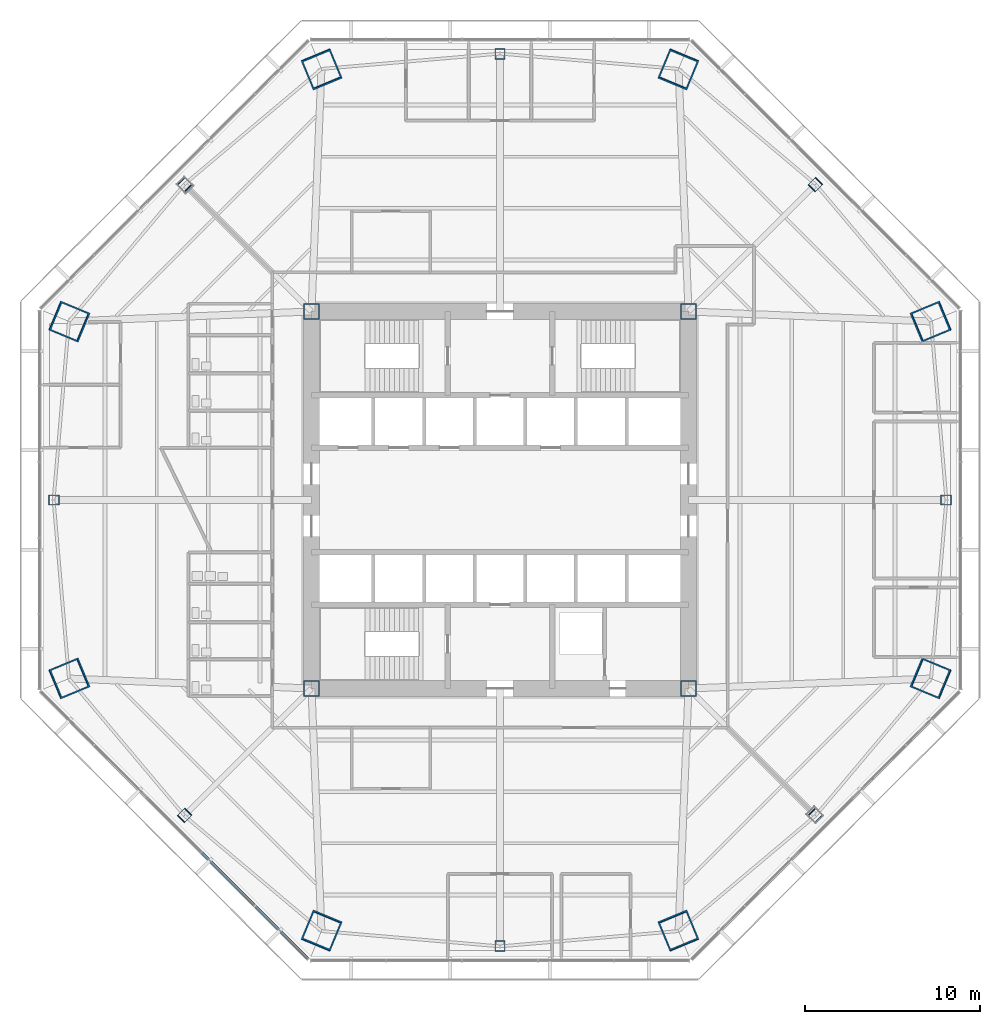
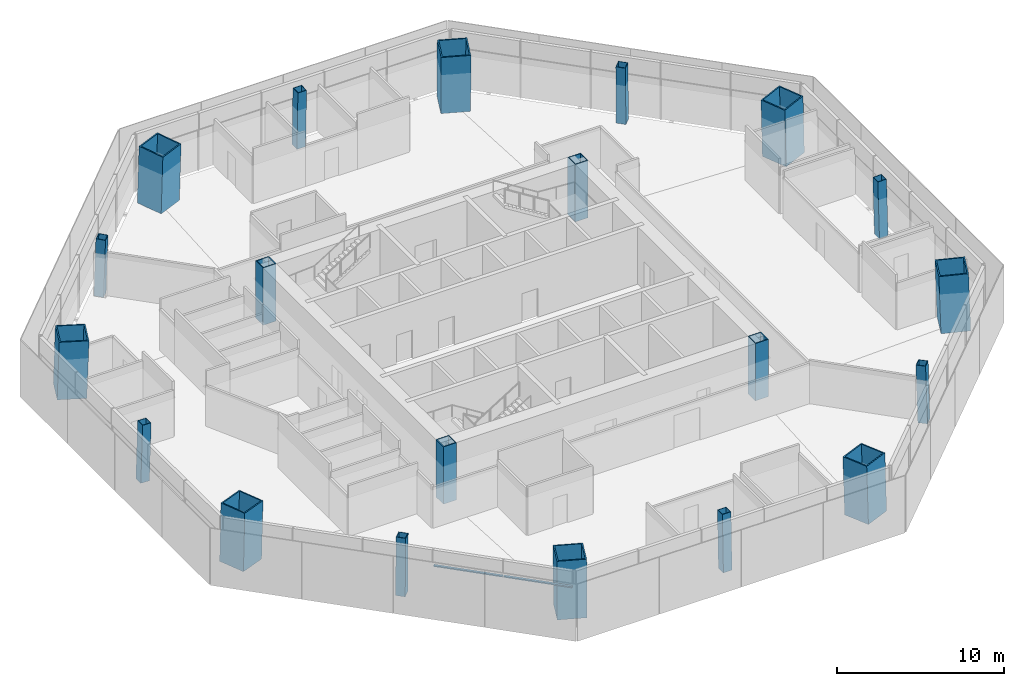
# One storey, part 1 of 15: 20 columns, 2 members, 1 element without a shape of its own.
"""IFC4 building model written with IfcOpenShell, lengths in metres."""

import ifcopenshell
import ifcopenshell.guid

model = None  # the IFC model being written
_history = None  # IfcOwnerHistory: only IFC2X3 demands one
_inside = {}  # id of a spatial element -> (the spatial element, [elements in it])
_under = {}  # id of a project, library or spatial element -> (it, [spatial elements below it])
_declared = {}  # id of a project -> (the project, [libraries it declares])
_typed = {}  # id of a type object -> (the type object, [elements of that type])
_made_of = {}  # id of a material, layer set ... -> (it, [elements and type objects made of it])


def new_model(schema):
    """Start an empty IFC model of exactly this schema.

    Asked for "IFC4X3", IfcOpenShell would pick the latest addendum, in which some entities
    have other attributes; the version numbers below select the first issue.
    IFC2X3 requires an IfcOwnerHistory on every rooted entity: one is made here for all.
    """
    global model, _history
    if schema == "IFC4X3":
        model = ifcopenshell.file(schema_version=(4, 3, 0, 0))
    else:
        model = ifcopenshell.file(schema=schema)
    _inside.clear()
    _under.clear()
    _declared.clear()
    _typed.clear()
    _made_of.clear()
    _history = None
    if model.schema == "IFC2X3":
        org = make("IfcOrganization", Name="unknown")
        user = make(
            "IfcPersonAndOrganization",
            ThePerson=make("IfcPerson", FamilyName="unknown"),
            TheOrganization=org,
        )
        app = make(
            "IfcApplication",
            ApplicationDeveloper=org,
            Version="unknown",
            ApplicationFullName="unknown",
            ApplicationIdentifier="unknown",
        )
        _history = make(
            "IfcOwnerHistory",
            OwningUser=user,
            OwningApplication=app,
            ChangeAction="ADDED",
            CreationDate=0,
        )
    return model


def make(cls, **values):
    """One entity of the class cls with the attributes given. An attribute that is None is left unset."""
    return model.create_entity(
        cls, **{name: value for name, value in values.items() if value is not None}
    )


def rooted(cls, **values):
    """An entity with a GlobalId (a new one), such as an element, a storey or a relation."""
    return make(cls, GlobalId=ifcopenshell.guid.new(), OwnerHistory=_history, **values)


def si_unit(unit_type, name, prefix=None):
    """IfcSIUnit, for example si_unit("LENGTHUNIT", "METRE", prefix="MILLI")."""
    return make("IfcSIUnit", UnitType=unit_type, Prefix=prefix, Name=name)


def assignment(units):
    """IfcUnitAssignment: the units of a project."""
    return None if units is None else make("IfcUnitAssignment", Units=units)


def point(xyz):
    """IfcCartesianPoint."""
    return None if xyz is None else make("IfcCartesianPoint", Coordinates=xyz)


def direction(xyz):
    """IfcDirection."""
    return None if xyz is None else make("IfcDirection", DirectionRatios=xyz)


def frame(location, z_axis=None, x_axis=None):
    """IfcAxis2Placement3D, a coordinate frame: its origin and axes. An axis left out is left unset."""
    return make(
        "IfcAxis2Placement3D",
        Location=point(location),
        Axis=direction(z_axis),
        RefDirection=direction(x_axis),
    )


def frame_2d(location, x_axis=None):
    """IfcAxis2Placement2D, a coordinate frame in the plane: its origin and x axis."""
    return make(
        "IfcAxis2Placement2D", Location=point(location), RefDirection=direction(x_axis)
    )


def origin():
    """The frame at (0, 0, 0) with its axes left unset."""
    return frame((0.0, 0.0, 0.0))


def origin_2d():
    """The frame at (0, 0) in the plane with its x axis left unset."""
    return frame_2d((0.0, 0.0))


def place(relative_to, where):
    """IfcLocalPlacement: puts the frame where relative to a parent placement (None: the world)."""
    return make(
        "IfcLocalPlacement", PlacementRelTo=relative_to, RelativePlacement=where
    )


def context(
    kind, dimensions, precision=None, world=None, true_north=None, identifier=None
):
    """IfcGeometricRepresentationContext, for example the 3D "Model" context."""
    return make(
        "IfcGeometricRepresentationContext",
        ContextIdentifier=identifier,
        ContextType=kind,
        CoordinateSpaceDimension=dimensions,
        Precision=precision,
        WorldCoordinateSystem=world,
        TrueNorth=true_north,
    )


def subcontext(parent, identifier, kind, view, scale=None):
    """IfcGeometricRepresentationSubContext, for example "Body" below "Model"."""
    return make(
        "IfcGeometricRepresentationSubContext",
        ContextIdentifier=identifier,
        ContextType=kind,
        ParentContext=parent,
        TargetScale=scale,
        TargetView=view,
    )


def project(units=None, contexts=None):
    """IfcProject with its units and contexts."""
    return rooted(
        "IfcProject",
        Name="project",
        RepresentationContexts=contexts,
        UnitsInContext=assignment(units),
    )


def spatial(cls, under=None, at=None, **own):
    """A site, building, storey or space (cls), placed at a placement, below another one or the project."""
    s = rooted(cls, ObjectPlacement=at, **own)
    if under is not None:
        _under.setdefault(under.id(), (under, []))[1].append(s)
    return s


def profile(cls, at=None, kind="AREA", **sizes):
    """A parametric profile (cls). Its sizes go by their IFC names, for example OverallWidth=200.0."""
    return make(cls, ProfileType=kind, Position=at, **sizes)


def rectangle(**sizes):
    """IfcRectangleProfileDef."""
    return profile("IfcRectangleProfileDef", **sizes)


def hollow_rectangle(**sizes):
    """IfcRectangleHollowProfileDef."""
    return profile("IfcRectangleHollowProfileDef", **sizes)


def extrude(swept, where, along, depth):
    """IfcExtrudedAreaSolid: the profile swept, set in the frame where, extruded along a direction by depth."""
    return make(
        "IfcExtrudedAreaSolid",
        SweptArea=swept,
        Position=where,
        ExtrudedDirection=direction(along),
        Depth=depth,
    )


def shape(context_of_items, identifier, shape_type, items):
    """IfcShapeRepresentation: the items that make up one representation, for example the "Body"."""
    return make(
        "IfcShapeRepresentation",
        ContextOfItems=context_of_items,
        RepresentationIdentifier=identifier,
        RepresentationType=shape_type,
        Items=items,
    )


def source(mapping_origin, context_of_items, identifier, shape_type, items):
    """IfcRepresentationMap: a shape defined once, which mapped items show again and again."""
    return make(
        "IfcRepresentationMap",
        MappingOrigin=mapping_origin,
        MappedRepresentation=shape(context_of_items, identifier, shape_type, items),
    )


def transform(
    local_origin,
    x_axis=None,
    y_axis=None,
    z_axis=None,
    scale=None,
    scale2=None,
    scale3=None,
    uniform=True,
):
    """IfcCartesianTransformationOperator3D, or its non-uniform kind. x_axis, y_axis, z_axis: its Axis1, 2, 3."""
    if uniform:
        return make(
            "IfcCartesianTransformationOperator3D",
            Axis1=direction(x_axis),
            Axis2=direction(y_axis),
            LocalOrigin=point(local_origin),
            Scale=scale,
            Axis3=direction(z_axis),
        )
    return make(
        "IfcCartesianTransformationOperator3DnonUniform",
        Axis1=direction(x_axis),
        Axis2=direction(y_axis),
        LocalOrigin=point(local_origin),
        Scale=scale,
        Axis3=direction(z_axis),
        Scale2=scale2,
        Scale3=scale3,
    )


def mapped(mapping_source, mapping_target):
    """IfcMappedItem: shows the shape of a source again, moved by a transform."""
    return make(
        "IfcMappedItem", MappingSource=mapping_source, MappingTarget=mapping_target
    )


def material(Name=None, Category=None):
    """IfcMaterial."""
    return make("IfcMaterial", Name=Name, Category=Category)


def material_profile(
    of_material, cross_section, Name=None, Category=None, Priority=None
):
    """IfcMaterialProfile: a cross section and its material."""
    return make(
        "IfcMaterialProfile",
        Name=Name,
        Material=of_material,
        Profile=cross_section,
        Priority=Priority,
        Category=Category,
    )


def profile_set(profiles, Name=None, composite=None):
    """IfcMaterialProfileSet."""
    return make(
        "IfcMaterialProfileSet",
        Name=Name,
        MaterialProfiles=profiles,
        CompositeProfile=composite,
    )


def made_of(thing, what):
    """Note that an element or type object is made of a material, layer set ...; save() writes the relation."""
    if what is not None:
        _made_of.setdefault(what.id(), (what, []))[1].append(thing)
    return thing


def type_object(cls, material=None, **own):
    """A type object (cls), such as IfcWallType, which elements share."""
    return made_of(rooted(cls, **own), material)


def type_shapes(of_type, sources):
    """Give a type object the sources (RepresentationMaps) that its elements show as mapped items."""
    of_type.RepresentationMaps = sources


def element(
    cls,
    number,
    at=None,
    inside=None,
    cuts=None,
    type_object=None,
    material=None,
    context=None,
    identifier="Body",
    shape_type=None,
    held_by="IfcProductDefinitionShape",
    body=None,
    shapes=None,
    **own,
):
    """One element of the class cls, such as IfcWall. Its Tag is "e" and its number.

    at: its placement. inside: the storey or other place that contains it. cuts: it is an
    opening in that element (IfcRelVoidsElement). A single representation is given by context,
    identifier, shape_type and body (its items); several are given by shapes. held_by: the class
    of the entity that holds the representations. save() writes the other relations.
    """
    e = rooted(cls, Tag="e%d" % number, ObjectPlacement=at, **own)
    if body is not None:
        shapes = [shape(context, identifier, shape_type, body)]
    if shapes is not None:
        e.Representation = make(held_by, Representations=shapes)
    if inside is not None:
        _inside.setdefault(inside.id(), (inside, []))[1].append(e)
    if cuts is not None:
        rooted(
            "IfcRelVoidsElement", RelatingBuildingElement=cuts, RelatedOpeningElement=e
        )
    if type_object is not None:
        _typed.setdefault(type_object.id(), (type_object, []))[1].append(e)
    return made_of(e, material)


def aggregate(whole, parts):
    """IfcRelAggregates: a whole, such as a stair, and the parts it consists of."""
    return rooted("IfcRelAggregates", RelatingObject=whole, RelatedObjects=parts)


def save(model, path):
    """Write the relations noted so far, then the file.

    IfcRelAggregates (storeys below a building ...), IfcRelContainedInSpatialStructure (elements
    in a storey), IfcRelDefinesByType, IfcRelAssociatesMaterial and IfcRelDeclares: one each for
    every whole, place, type object, material and project.
    """
    for whole, parts in _under.values():
        aggregate(whole, parts)
    for where, things in _inside.values():
        rooted(
            "IfcRelContainedInSpatialStructure",
            RelatedElements=things,
            RelatingStructure=where,
        )
    for kind, things in _typed.values():
        rooted("IfcRelDefinesByType", RelatedObjects=things, RelatingType=kind)
    for what, things in _made_of.values():
        rooted("IfcRelAssociatesMaterial", RelatedObjects=things, RelatingMaterial=what)
    for by, libraries in _declared.values():
        rooted("IfcRelDeclares", RelatingContext=by, RelatedDefinitions=libraries)
    model.write(path)


model = new_model("IFC4")

# Units and contexts
model_context = context("Model", 3, precision=1e-05, world=origin(), true_north=direction((0.0, 1.0)))
body_context = subcontext(model_context, "Body", "Model", "MODEL_VIEW")
ifc_project = project(units=[si_unit("LENGTHUNIT", "METRE"), si_unit("AREAUNIT", "SQUARE_METRE"), si_unit("VOLUMEUNIT", "CUBIC_METRE"), si_unit("PLANEANGLEUNIT", "RADIAN"), si_unit("MASSUNIT", "GRAM", prefix="KILO")], contexts=[model_context])

# Site, building, storey
site_placement = place(None, origin())
site = spatial("IfcSite", under=ifc_project, at=site_placement, CompositionType="ELEMENT")
building_placement = place(site_placement, origin())
building = spatial("IfcBuilding", under=site, at=building_placement, Name="Mashrafa Tower", CompositionType="ELEMENT")
storey_placement = place(building_placement, frame((0.0, 0.0, 58.199951171875)))
storey = spatial("IfcBuildingStorey", under=building, at=storey_placement, Name="L12", CompositionType="ELEMENT", Elevation=58.199951171875)

# Columns
ifc_material_1 = material(Name="Steel ASTM A572 Gr 50", Category="steel")
ifc_material_profile_1 = material_profile(ifc_material_1, hollow_rectangle(XDim=0.89990234375, YDim=0.89990234375, WallThickness=0.06005859375, at=origin_2d()), Name="BOX900X900X60")
ifc_profile_set_1 = profile_set([ifc_material_profile_1], Name="Steel ASTM A572 Gr 50")
column_type_1 = type_object("IfcColumnType", Name="Core corner column BOX900X900X60", PredefinedType="COLUMN", material=ifc_profile_set_1)
for number, where, z_axis, x_axis, name in (
    (1, (10.800048828125, 10.800048828125, 0.0), (0.0, 0.0, 1.0), (1.0, 0.0, 0.0), "Core corner column CC-NE L12"),
    (2, (-10.800048828125, 10.800048828125, 0.0), (0.0, 0.0, 1.0), (1.0, 0.0, 0.0), "Core corner column CC-NW L12"),
    (3, (-10.800048828125, -10.800048828125, 0.0), (0.0, 0.0, 1.0), (1.0, 0.0, 0.0), "Core corner column CC-SW L12"),
    (4, (10.800048828125, -10.800048828125, 0.0), (0.0, 0.0, 1.0), (1.0, 0.0, 0.0), "Core corner column CC-SE L12"),
):
    element("IfcColumn", number, at=place(storey_placement, frame(where, z_axis=z_axis, x_axis=x_axis)), inside=storey, type_object=column_type_1, Name=name, PredefinedType="COLUMN", context=body_context, shape_type="SweptSolid", body=[
        extrude(hollow_rectangle(XDim=0.89990234375, YDim=0.89990234375, WallThickness=0.06005859375, at=origin_2d()), origin(), (0.0, 0.0, 1.0), 4.199951171875),
    ])
ifc_material_2 = material(Name="Steel ASTM A572 Gr 50", Category="steel")
ifc_material_profile_2 = material_profile(ifc_material_2, hollow_rectangle(XDim=1.800048828125, YDim=1.800048828125, WallThickness=0.0849609375, at=origin_2d()), Name="BOX1800X1800X85")
ifc_profile_set_2 = profile_set([ifc_material_profile_2], Name="Steel ASTM A572 Gr 50")
column_type_2 = type_object("IfcColumnType", Name="Mega column CFST BOX1800X1800X85", PredefinedType="COLUMN", material=ifc_profile_set_2)
for number, where, z_axis, x_axis, name in (
    (5, (24.690185546875, 10.22705078125, 0.0), (-0.028295730207, -0.011736627314, 0.99953069149), (0.383133442967, -0.923693003589, 0.0), "Mega column MC1 L12"),
    (6, (10.22705078125, 24.690185546875, 0.0), (-0.011736627314, -0.028295730207, 0.99953069149), (0.923693003589, -0.383133442967, 0.0), "Mega column MC2 L12"),
    (7, (-10.22705078125, 24.690185546875, 0.0), (0.011736627314, -0.028295730207, 0.99953069149), (0.923693003589, 0.383133442967, 0.0), "Mega column MC3 L12"),
    (8, (-24.690185546875, 10.22705078125, 0.0), (0.028295730207, -0.011736627314, 0.99953069149), (0.383133442967, 0.923693003589, 0.0), "Mega column MC4 L12"),
    (9, (-24.690185546875, -10.22705078125, 0.0), (0.028295730207, 0.011736627314, 0.99953069149), (-0.383133442967, 0.923693003589, 0.0), "Mega column MC5 L12"),
    (10, (-10.22705078125, -24.690185546875, 0.0), (0.011736627314, 0.028295730207, 0.99953069149), (-0.923693003589, 0.383133442967, 0.0), "Mega column MC6 L12"),
    (11, (10.22705078125, -24.690185546875, 0.0), (-0.011736627314, 0.028295730207, 0.99953069149), (-0.923693003589, -0.383133442967, 0.0), "Mega column MC7 L12"),
    (12, (24.690185546875, -10.22705078125, 0.0), (-0.028295730207, 0.011736627314, 0.99953069149), (-0.383133442967, -0.923693003589, 0.0), "Mega column MC8 L12"),
):
    element("IfcColumn", number, at=place(storey_placement, frame(where, z_axis=z_axis, x_axis=x_axis)), inside=storey, type_object=column_type_2, Name=name, PredefinedType="COLUMN", context=body_context, shape_type="SweptSolid", body=[
        extrude(hollow_rectangle(XDim=1.800048828125, YDim=1.800048828125, WallThickness=0.0849609375, at=origin_2d()), origin(), (0.0, 0.0, 1.0), 4.201904296875),
    ])
ifc_material_3 = material(Name="Steel ASTM A572 Gr 50", Category="steel")
ifc_material_profile_3 = material_profile(ifc_material_3, hollow_rectangle(XDim=0.60009765625, YDim=0.60009765625, WallThickness=0.031982421875, at=origin_2d()), Name="BOX600X600X32")
ifc_profile_set_3 = profile_set([ifc_material_profile_3], Name="Steel ASTM A572 Gr 50")
column_type_3 = type_object("IfcColumnType", Name="Secondary column BOX600X600X32", PredefinedType="COLUMN", material=ifc_profile_set_3)
for number, where, z_axis, x_axis, name in (
    (13, (25.568359375, 0.0, 0.0), (-0.028297679255, 0.0, 0.99959954049), (0.0, -1.0, 0.0), "Secondary column SC1 L12"),
    (14, (18.07958984375, 18.07958984375, 0.0), (-0.019988521213, -0.019988521213, 0.999600379171), (0.707106781187, -0.707106781187, 0.0), "Secondary column SC2 L12"),
    (15, (0.0, 25.568359375, 0.0), (0.0, -0.028297679255, 0.99959954049), (1.0, 0.0, 0.0), "Secondary column SC3 L12"),
    (16, (-18.07958984375, 18.07958984375, 0.0), (0.019988521213, -0.019988521213, 0.999600379171), (0.707106781187, 0.707106781187, 0.0), "Secondary column SC4 L12"),
    (17, (-25.568359375, 0.0, 0.0), (0.028297679255, 0.0, 0.99959954049), (0.0, 1.0, 0.0), "Secondary column SC5 L12"),
    (18, (-18.07958984375, -18.07958984375, 0.0), (0.019988521213, 0.019988521213, 0.999600379171), (-0.707106781187, 0.707106781187, 0.0), "Secondary column SC6 L12"),
    (19, (0.0, -25.568359375, 0.0), (0.0, 0.028297679255, 0.99959954049), (-1.0, 0.0, 0.0), "Secondary column SC7 L12"),
    (20, (18.07958984375, -18.07958984375, 0.0), (-0.019988521213, 0.019988521213, 0.999600379171), (-0.707106781187, -0.707106781187, 0.0), "Secondary column SC8 L12"),
):
    element("IfcColumn", number, at=place(storey_placement, frame(where, z_axis=z_axis, x_axis=x_axis)), inside=storey, type_object=column_type_3, Name=name, PredefinedType="COLUMN", context=body_context, shape_type="SweptSolid", body=[
        extrude(hollow_rectangle(XDim=0.60009765625, YDim=0.60009765625, WallThickness=0.031982421875, at=origin_2d()), origin(), (0.0, 0.0, 1.0), 4.20166015625),
    ])

# Curtain wall, members
ifc_material_4 = material(Name="Unitised aluminium curtain wall", Category="aluminium")
curtain_wall_type = type_object("IfcCurtainWallType", Name="Office curtain wall, zone 1 CW-A 200 deep", PredefinedType="NOTDEFINED", material=ifc_material_4)
curtain_wall_placement = place(storey_placement, origin())
curtain_wall = element("IfcCurtainWall", 21, at=curtain_wall_placement, inside=storey, type_object=curtain_wall_type, Name="Office curtain wall, zone 1 L12 south-west", PredefinedType="NOTDEFINED")
ifc_material_5 = material(Name="Extruded aluminium transom", Category="aluminium")
ifc_material_profile_4 = material_profile(ifc_material_5, rectangle(XDim=0.159912109375, YDim=0.080078125, at=origin_2d()), Name="Transom 80x160")
ifc_profile_set_4 = profile_set([ifc_material_profile_4], Name="Extruded aluminium transom")
member_type = type_object("IfcMemberType", Name="Transom CW-A 80 x 160", PredefinedType="MULLION", material=ifc_profile_set_4)
shared_shape_1 = source(origin(), body_context, "Body", "SweptSolid", [
    extrude(rectangle(XDim=0.159912109375, YDim=0.080078125, at=origin_2d()), origin(), (0.0, 0.0, 1.0), 4.250732421875),
])
member_1_placement = place(storey_placement, frame((-14.01025390625, -23.2802734375, 3.0), z_axis=(0.707135497932, -0.707078063275, 0.0), x_axis=(0.707078063275, 0.707135497932, 0.0)))
member_1 = element("IfcMember", 22, at=member_1_placement, type_object=member_type, Name="CW-A transom 5", PredefinedType="MULLION", context=body_context, shape_type="MappedRepresentation", body=[
    mapped(shared_shape_1, transform((0.0, 0.0, 0.0))),
])
shared_shape_2 = source(origin(), body_context, "Body", "SweptSolid", [
    extrude(rectangle(XDim=0.159912109375, YDim=0.080078125, at=origin_2d()), origin(), (0.0, 0.0, 1.0), 4.283447265625),
])
type_shapes(member_type, [shared_shape_1, shared_shape_2])
member_2_placement = place(storey_placement, frame((-17.0849609375, -20.20556640625, 3.0), z_axis=(0.707106781187, -0.707106781187, 0.0), x_axis=(0.707106781187, 0.707106781187, 0.0)))
member_2 = element("IfcMember", 23, at=member_2_placement, type_object=member_type, Name="CW-A transom 4", PredefinedType="MULLION", context=body_context, shape_type="MappedRepresentation", body=[
    mapped(shared_shape_2, transform((0.0, 0.0, 0.0))),
])
aggregate(curtain_wall, [member_2, member_1])

save(model, "model.ifc")
